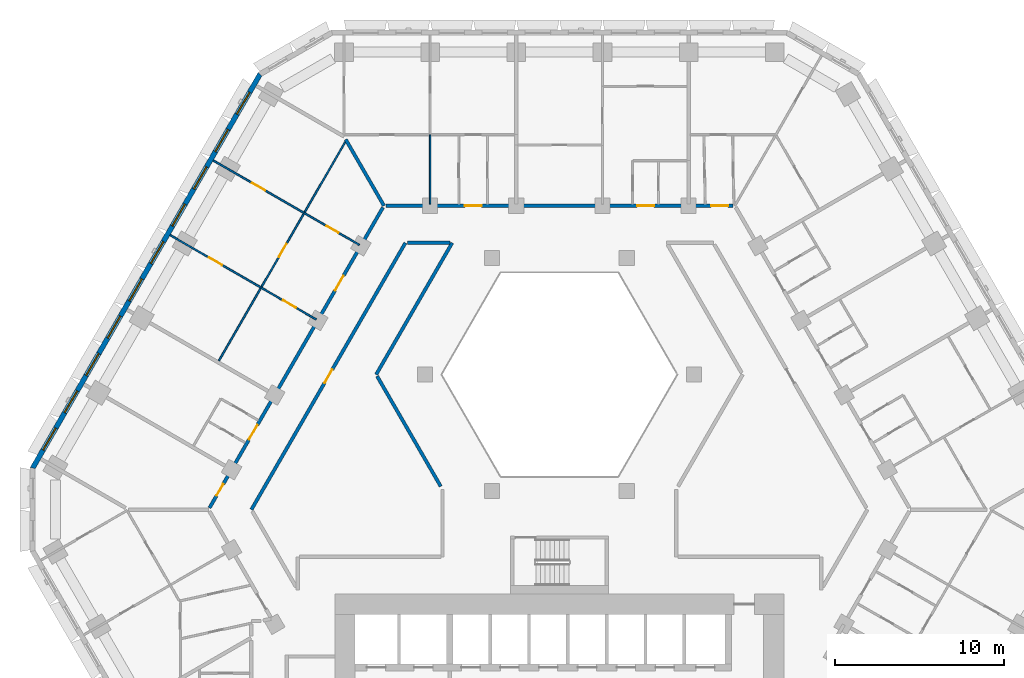
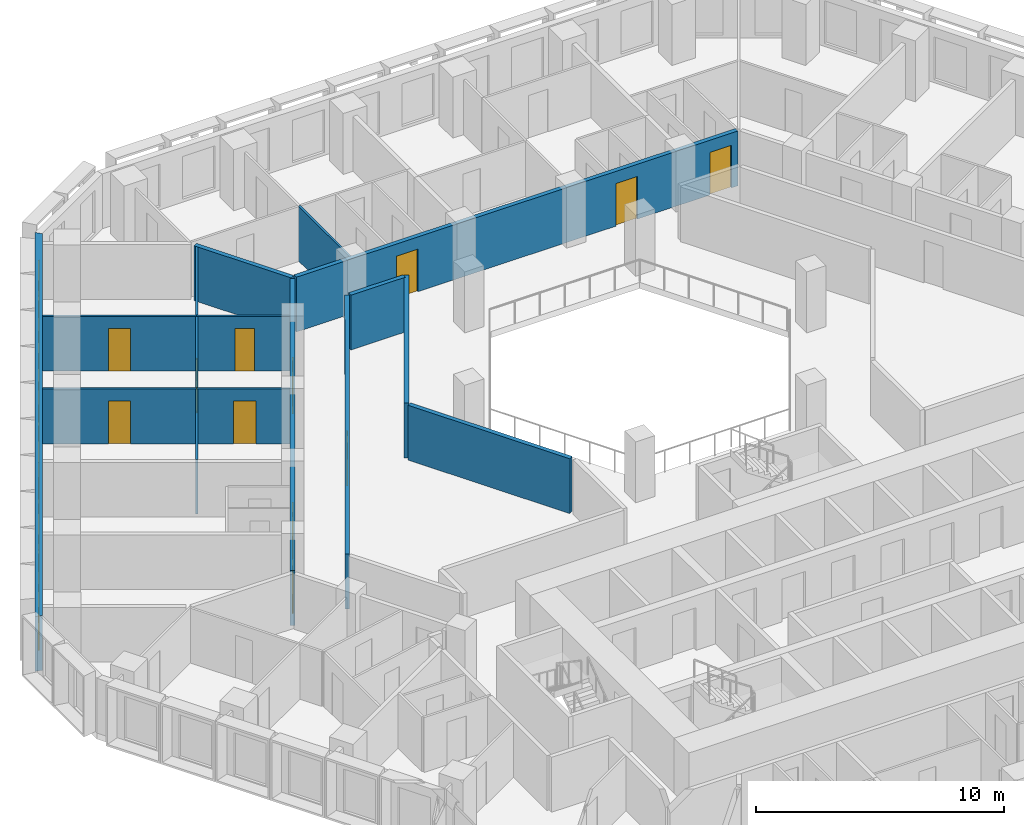
# One storey, part 9 of 21: 14 walls, 12 doors, 10 windows, 22 openings.
"""IFC4 building model written with IfcOpenShell, lengths in metres."""

from ifc_helpers import new_model, si_unit, direction, frame, frame_2d, origin, place, context, subcontext, project, spatial, polyline, rectangle, outline, extrude, material, layer, layer_set, type_object, element, fill, save


model = new_model("IFC4")

# Units and contexts
model_context = context("Model", 3, precision=1e-05, world=origin(), true_north=direction((0.0, 1.0)))
body_context = subcontext(model_context, "Body", "Model", "MODEL_VIEW")
ifc_project = project(units=[si_unit("LENGTHUNIT", "METRE"), si_unit("AREAUNIT", "SQUARE_METRE"), si_unit("VOLUMEUNIT", "CUBIC_METRE"), si_unit("PLANEANGLEUNIT", "RADIAN"), si_unit("MASSUNIT", "GRAM", prefix="KILO")], contexts=[model_context])

# Site, building, storey
site_placement = place(None, origin())
site = spatial("IfcSite", under=ifc_project, at=site_placement, CompositionType="ELEMENT")
building_placement = place(site_placement, origin())
building = spatial("IfcBuilding", under=site, at=building_placement, Name="Beryl Residences", CompositionType="ELEMENT")
storey_placement = place(building_placement, frame((0.0, 0.0, 53.39990234375)))
storey = spatial("IfcBuildingStorey", under=building, at=storey_placement, Name="L16", CompositionType="ELEMENT", Elevation=53.39990234375)

# Wall, openings, windows
ifc_material_1 = material(Name="Composite metal panel with mineral wool insulation")
ifc_layer_1 = layer(ifc_material_1, 0.300048828125)
ifc_layer_set_1 = layer_set([ifc_layer_1], Name="ES1 pale metal composite panel wall 300 mm")
wall_type_1 = type_object("IfcWallType", Name="ES1 pale metal composite panel wall 300 mm", PredefinedType="SOLIDWALL", material=ifc_layer_set_1)
wall_1_placement = place(storey_placement, frame((-17.7099609375, 25.824951171875, 0.0), z_axis=(0.0, 0.0, 1.0), x_axis=(-0.500001938803, -0.866024284413, 0.0)))
wall_1 = element("IfcWall", 1, at=wall_1_placement, inside=storey, type_object=wall_type_1, Name="ES1 external wall L16 NW", PredefinedType="SOLIDWALL", context=body_context, shape_type="SweptSolid", body=[
    extrude(outline(polyline([(0.0, -0.14990234375), (27.02001953125, -0.14990234375), (26.939697265625, 0.14990234375), (0.080322265625, 0.14990234375), (0.0, -0.14990234375)])), origin(), (0.0, 0.0, 1.0), 2.7001953125),
])
opening_1_placement = place(wall_1_placement, frame((1.277099609375, 0.0, 0.14990234375)))
opening_1 = element("IfcOpeningElement", 2, at=opening_1_placement, cuts=wall_1, Name="Opening W1", PredefinedType="OPENING", context=body_context, shape_type="SweptSolid", body=[
    extrude(rectangle(XDim=1.5, YDim=2.10009765625, at=frame_2d((0.75, 1.050048828125))), frame((0.0, 0.159912109375, 0.0), z_axis=(0.0, -1.0, 0.0), x_axis=(1.0, 0.0, 0.0)), (0.0, 0.0, 1.0), 0.320068359375),
])
opening_2_placement = place(wall_1_placement, frame((3.8291015625, 0.0, 0.14990234375)))
opening_2 = element("IfcOpeningElement", 3, at=opening_2_placement, cuts=wall_1, Name="Opening W1", PredefinedType="OPENING", context=body_context, shape_type="SweptSolid", body=[
    extrude(rectangle(XDim=1.5, YDim=2.10009765625, at=frame_2d((0.75, 1.050048828125))), frame((0.0, 0.159912109375, 0.0), z_axis=(0.0, -1.0, 0.0), x_axis=(1.0, 0.0, 0.0)), (0.0, 0.0, 1.0), 0.320068359375),
])
opening_3_placement = place(wall_1_placement, frame((6.382080078125, 0.0, 0.14990234375)))
opening_3 = element("IfcOpeningElement", 4, at=opening_3_placement, cuts=wall_1, Name="Opening W1", PredefinedType="OPENING", context=body_context, shape_type="SweptSolid", body=[
    extrude(rectangle(XDim=1.5, YDim=2.10009765625, at=frame_2d((0.75, 1.050048828125))), frame((0.0, 0.159912109375, 0.0), z_axis=(0.0, -1.0, 0.0), x_axis=(1.0, 0.0, 0.0)), (0.0, 0.0, 1.0), 0.320068359375),
])
opening_4_placement = place(wall_1_placement, frame((8.93310546875, 0.0, 0.14990234375)))
opening_4 = element("IfcOpeningElement", 5, at=opening_4_placement, cuts=wall_1, Name="Opening W1", PredefinedType="OPENING", context=body_context, shape_type="SweptSolid", body=[
    extrude(rectangle(XDim=1.5, YDim=2.10009765625, at=frame_2d((0.75, 1.050048828125))), frame((0.0, 0.159912109375, 0.0), z_axis=(0.0, -1.0, 0.0), x_axis=(1.0, 0.0, 0.0)), (0.0, 0.0, 1.0), 0.320068359375),
])
opening_5_placement = place(wall_1_placement, frame((11.485107421875, 0.0, 0.14990234375)))
opening_5 = element("IfcOpeningElement", 6, at=opening_5_placement, cuts=wall_1, Name="Opening W1", PredefinedType="OPENING", context=body_context, shape_type="SweptSolid", body=[
    extrude(rectangle(XDim=1.5, YDim=2.10009765625, at=frame_2d((0.75, 1.050048828125))), frame((0.0, 0.159912109375, 0.0), z_axis=(0.0, -1.0, 0.0), x_axis=(1.0, 0.0, 0.0)), (0.0, 0.0, 1.0), 0.320068359375),
])
opening_6_placement = place(wall_1_placement, frame((14.037109375, 0.0, 0.14990234375)))
opening_6 = element("IfcOpeningElement", 7, at=opening_6_placement, cuts=wall_1, Name="Opening W1", PredefinedType="OPENING", context=body_context, shape_type="SweptSolid", body=[
    extrude(rectangle(XDim=1.5, YDim=2.10009765625, at=frame_2d((0.75, 1.050048828125))), frame((0.0, 0.159912109375, 0.0), z_axis=(0.0, -1.0, 0.0), x_axis=(1.0, 0.0, 0.0)), (0.0, 0.0, 1.0), 0.320068359375),
])
opening_7_placement = place(wall_1_placement, frame((16.589111328125, 0.0, 0.14990234375)))
opening_7 = element("IfcOpeningElement", 8, at=opening_7_placement, cuts=wall_1, Name="Opening W1", PredefinedType="OPENING", context=body_context, shape_type="SweptSolid", body=[
    extrude(rectangle(XDim=1.5, YDim=2.10009765625, at=frame_2d((0.75, 1.050048828125))), frame((0.0, 0.159912109375, 0.0), z_axis=(0.0, -1.0, 0.0), x_axis=(1.0, 0.0, 0.0)), (0.0, 0.0, 1.0), 0.320068359375),
])
opening_8_placement = place(wall_1_placement, frame((19.14111328125, 0.0, 0.14990234375)))
opening_8 = element("IfcOpeningElement", 9, at=opening_8_placement, cuts=wall_1, Name="Opening W1", PredefinedType="OPENING", context=body_context, shape_type="SweptSolid", body=[
    extrude(rectangle(XDim=1.5, YDim=2.10009765625, at=frame_2d((0.75, 1.050048828125))), frame((0.0, 0.159912109375, 0.0), z_axis=(0.0, -1.0, 0.0), x_axis=(1.0, 0.0, 0.0)), (0.0, 0.0, 1.0), 0.320068359375),
])
opening_9_placement = place(wall_1_placement, frame((21.693115234375, 0.0, 0.14990234375)))
opening_9 = element("IfcOpeningElement", 10, at=opening_9_placement, cuts=wall_1, Name="Opening W1", PredefinedType="OPENING", context=body_context, shape_type="SweptSolid", body=[
    extrude(rectangle(XDim=1.5, YDim=2.10009765625, at=frame_2d((0.75, 1.050048828125))), frame((0.0, 0.159912109375, 0.0), z_axis=(0.0, -1.0, 0.0), x_axis=(1.0, 0.0, 0.0)), (0.0, 0.0, 1.0), 0.320068359375),
])
opening_10_placement = place(wall_1_placement, frame((24.243896484375, 0.0, 0.14990234375)))
opening_10 = element("IfcOpeningElement", 11, at=opening_10_placement, cuts=wall_1, Name="Opening W1", PredefinedType="OPENING", context=body_context, shape_type="SweptSolid", body=[
    extrude(rectangle(XDim=1.5, YDim=2.10009765625, at=frame_2d((0.75, 1.050048828125))), frame((0.0, 0.159912109375, 0.0), z_axis=(0.0, -1.0, 0.0), x_axis=(1.0, 0.0, 0.0)), (0.0, 0.0, 1.0), 0.320068359375),
])
ifc_material_2 = material(Name="Aluminium and clear glass", Category="aluminium")
window_type = type_object("IfcWindowType", Name="W1 cell window 1500 x 2100 mm", PartitioningType="SINGLE_PANEL", PredefinedType="WINDOW", material=ifc_material_2)
window_1_placement = place(opening_1_placement, origin())
window_1 = element("IfcWindow", 12, at=window_1_placement, inside=storey, type_object=window_type, Name="W1 window L16 NW 1", OverallHeight=2.10009765625, OverallWidth=1.5, PartitioningType="SINGLE_PANEL", PredefinedType="WINDOW", context=body_context, shape_type="SweptSolid", body=[
    extrude(rectangle(XDim=1.5, YDim=2.10009765625, at=frame_2d((0.75, 1.050048828125))), frame((0.0, 0.030029296875, 0.0), z_axis=(0.0, -1.0, 0.0), x_axis=(1.0, 0.0, 0.0)), (0.0, 0.0, 1.0), 0.06005859375),
])
fill(opening_1, window_1)
window_2_placement = place(opening_2_placement, origin())
window_2 = element("IfcWindow", 13, at=window_2_placement, inside=storey, type_object=window_type, Name="W1 window L16 NW 2", OverallHeight=2.10009765625, OverallWidth=1.5, PartitioningType="SINGLE_PANEL", PredefinedType="WINDOW", context=body_context, shape_type="SweptSolid", body=[
    extrude(rectangle(XDim=1.5, YDim=2.10009765625, at=frame_2d((0.75, 1.050048828125))), frame((0.0, 0.030029296875, 0.0), z_axis=(0.0, -1.0, 0.0), x_axis=(1.0, 0.0, 0.0)), (0.0, 0.0, 1.0), 0.06005859375),
])
fill(opening_2, window_2)
window_3_placement = place(opening_3_placement, origin())
window_3 = element("IfcWindow", 14, at=window_3_placement, inside=storey, type_object=window_type, Name="W1 window L16 NW 3", OverallHeight=2.10009765625, OverallWidth=1.5, PartitioningType="SINGLE_PANEL", PredefinedType="WINDOW", context=body_context, shape_type="SweptSolid", body=[
    extrude(rectangle(XDim=1.5, YDim=2.10009765625, at=frame_2d((0.75, 1.050048828125))), frame((0.0, 0.030029296875, 0.0), z_axis=(0.0, -1.0, 0.0), x_axis=(1.0, 0.0, 0.0)), (0.0, 0.0, 1.0), 0.06005859375),
])
fill(opening_3, window_3)
window_4_placement = place(opening_4_placement, origin())
window_4 = element("IfcWindow", 15, at=window_4_placement, inside=storey, type_object=window_type, Name="W1 window L16 NW 4", OverallHeight=2.10009765625, OverallWidth=1.5, PartitioningType="SINGLE_PANEL", PredefinedType="WINDOW", context=body_context, shape_type="SweptSolid", body=[
    extrude(rectangle(XDim=1.5, YDim=2.10009765625, at=frame_2d((0.75, 1.050048828125))), frame((0.0, 0.030029296875, 0.0), z_axis=(0.0, -1.0, 0.0), x_axis=(1.0, 0.0, 0.0)), (0.0, 0.0, 1.0), 0.06005859375),
])
fill(opening_4, window_4)
window_5_placement = place(opening_5_placement, origin())
window_5 = element("IfcWindow", 16, at=window_5_placement, inside=storey, type_object=window_type, Name="W1 window L16 NW 5", OverallHeight=2.10009765625, OverallWidth=1.5, PartitioningType="SINGLE_PANEL", PredefinedType="WINDOW", context=body_context, shape_type="SweptSolid", body=[
    extrude(rectangle(XDim=1.5, YDim=2.10009765625, at=frame_2d((0.75, 1.050048828125))), frame((0.0, 0.030029296875, 0.0), z_axis=(0.0, -1.0, 0.0), x_axis=(1.0, 0.0, 0.0)), (0.0, 0.0, 1.0), 0.06005859375),
])
fill(opening_5, window_5)
window_6_placement = place(opening_6_placement, origin())
window_6 = element("IfcWindow", 17, at=window_6_placement, inside=storey, type_object=window_type, Name="W1 window L16 NW 6", OverallHeight=2.10009765625, OverallWidth=1.5, PartitioningType="SINGLE_PANEL", PredefinedType="WINDOW", context=body_context, shape_type="SweptSolid", body=[
    extrude(rectangle(XDim=1.5, YDim=2.10009765625, at=frame_2d((0.75, 1.050048828125))), frame((0.0, 0.030029296875, 0.0), z_axis=(0.0, -1.0, 0.0), x_axis=(1.0, 0.0, 0.0)), (0.0, 0.0, 1.0), 0.06005859375),
])
fill(opening_6, window_6)
window_7_placement = place(opening_7_placement, origin())
window_7 = element("IfcWindow", 18, at=window_7_placement, inside=storey, type_object=window_type, Name="W1 window L16 NW 7", OverallHeight=2.10009765625, OverallWidth=1.5, PartitioningType="SINGLE_PANEL", PredefinedType="WINDOW", context=body_context, shape_type="SweptSolid", body=[
    extrude(rectangle(XDim=1.5, YDim=2.10009765625, at=frame_2d((0.75, 1.050048828125))), frame((0.0, 0.030029296875, 0.0), z_axis=(0.0, -1.0, 0.0), x_axis=(1.0, 0.0, 0.0)), (0.0, 0.0, 1.0), 0.06005859375),
])
fill(opening_7, window_7)
window_8_placement = place(opening_8_placement, origin())
window_8 = element("IfcWindow", 19, at=window_8_placement, inside=storey, type_object=window_type, Name="W1 window L16 NW 8", OverallHeight=2.10009765625, OverallWidth=1.5, PartitioningType="SINGLE_PANEL", PredefinedType="WINDOW", context=body_context, shape_type="SweptSolid", body=[
    extrude(rectangle(XDim=1.5, YDim=2.10009765625, at=frame_2d((0.75, 1.050048828125))), frame((0.0, 0.030029296875, 0.0), z_axis=(0.0, -1.0, 0.0), x_axis=(1.0, 0.0, 0.0)), (0.0, 0.0, 1.0), 0.06005859375),
])
fill(opening_8, window_8)
window_9_placement = place(opening_9_placement, origin())
window_9 = element("IfcWindow", 20, at=window_9_placement, inside=storey, type_object=window_type, Name="W1 window L16 NW 9", OverallHeight=2.10009765625, OverallWidth=1.5, PartitioningType="SINGLE_PANEL", PredefinedType="WINDOW", context=body_context, shape_type="SweptSolid", body=[
    extrude(rectangle(XDim=1.5, YDim=2.10009765625, at=frame_2d((0.75, 1.050048828125))), frame((0.0, 0.030029296875, 0.0), z_axis=(0.0, -1.0, 0.0), x_axis=(1.0, 0.0, 0.0)), (0.0, 0.0, 1.0), 0.06005859375),
])
fill(opening_9, window_9)
window_10_placement = place(opening_10_placement, origin())
window_10 = element("IfcWindow", 21, at=window_10_placement, inside=storey, type_object=window_type, Name="W1 window L16 NW 10", OverallHeight=2.10009765625, OverallWidth=1.5, PartitioningType="SINGLE_PANEL", PredefinedType="WINDOW", context=body_context, shape_type="SweptSolid", body=[
    extrude(rectangle(XDim=1.5, YDim=2.10009765625, at=frame_2d((0.75, 1.050048828125))), frame((0.0, 0.030029296875, 0.0), z_axis=(0.0, -1.0, 0.0), x_axis=(1.0, 0.0, 0.0)), (0.0, 0.0, 1.0), 0.06005859375),
])
fill(opening_10, window_10)

# Wall, opening, door
ifc_material_3 = material(Name="Gypsum board partition on steel studs", Category="steel")
ifc_layer_2 = layer(ifc_material_3, 0.10009765625)
ifc_layer_set_2 = layer_set([ifc_layer_2], Name="PT1 partition 100 mm gypsum board on steel studs")
wall_type_2 = type_object("IfcWallType", Name="PT1 partition 100 mm gypsum board on steel studs", PredefinedType="PARTITIONING", material=ifc_layer_set_2)
wall_2_placement = place(storey_placement, frame((-20.508056640625, 20.678955078125, 0.0), z_axis=(0.0, 0.0, 1.0), x_axis=(0.86607068519, -0.499921562103, 0.0)))
wall_2 = element("IfcWall", 22, at=wall_2_placement, inside=storey, type_object=wall_type_2, Name="Wall PT1 L16 024", PredefinedType="PARTITIONING", context=body_context, shape_type="SweptSolid", body=[
    extrude(rectangle(XDim=6.22705078125, YDim=0.10009765625, at=frame_2d((3.113525390625, 0.0))), origin(), (0.0, 0.0, 1.0), 2.7001953125),
])
opening_11_placement = place(wall_2_placement, frame((2.6630859375, 0.0, 0.0)))
opening_11 = element("IfcOpeningElement", 23, at=opening_11_placement, cuts=wall_2, Name="Opening D0206", PredefinedType="OPENING", context=body_context, shape_type="SweptSolid", body=[
    extrude(rectangle(XDim=0.89990234375, YDim=2.10009765625, at=frame_2d((0.449951171875, 1.050048828125))), frame((0.0, 0.06005859375, 0.0), z_axis=(0.0, -1.0, 0.0), x_axis=(1.0, 0.0, 0.0)), (0.0, 0.0, 1.0), 0.1201171875),
])
ifc_material_4 = material(Name="Timber door leaf", Category="wood")
door_type_1 = type_object("IfcDoorType", Name="D2 room door 900 x 2100 mm", OperationType="SINGLE_SWING_LEFT", PredefinedType="DOOR", material=ifc_material_4)
door_1_placement = place(opening_11_placement, origin())
door_1 = element("IfcDoor", 24, at=door_1_placement, inside=storey, type_object=door_type_1, Name="Door D0206 L16 001", OperationType="SINGLE_SWING_RIGHT", OverallHeight=2.10009765625, OverallWidth=0.89990234375, PredefinedType="DOOR", context=body_context, shape_type="SweptSolid", body=[
    extrude(rectangle(XDim=0.89990234375, YDim=2.10009765625, at=frame_2d((0.449951171875, 1.050048828125))), frame((0.0, 0.02490234375, 0.0), z_axis=(0.0, -1.0, 0.0), x_axis=(1.0, 0.0, 0.0)), (0.0, 0.0, 1.0), 0.050048828125),
])
fill(opening_11, door_1)

wall_3_placement = place(storey_placement, frame((-23.06005859375, 16.259033203125, 0.0), z_axis=(0.0, 0.0, 1.0), x_axis=(0.86607068519, -0.499921562103, 0.0)))
wall_3 = element("IfcWall", 25, at=wall_3_placement, inside=storey, type_object=wall_type_2, Name="Wall PT1 L16 027", PredefinedType="PARTITIONING", context=body_context, shape_type="SweptSolid", body=[
    extrude(rectangle(XDim=6.22705078125, YDim=0.10009765625, at=frame_2d((3.113525390625, 0.0))), origin(), (0.0, 0.0, 1.0), 2.7001953125),
])
opening_12_placement = place(wall_3_placement, frame((2.6630859375, 0.0, 0.0)))
opening_12 = element("IfcOpeningElement", 26, at=opening_12_placement, cuts=wall_3, Name="Opening D0205", PredefinedType="OPENING", context=body_context, shape_type="SweptSolid", body=[
    extrude(rectangle(XDim=0.89990234375, YDim=2.10009765625, at=frame_2d((0.449951171875, 1.050048828125))), frame((0.0, 0.06005859375, 0.0), z_axis=(0.0, -1.0, 0.0), x_axis=(1.0, 0.0, 0.0)), (0.0, 0.0, 1.0), 0.1201171875),
])
door_2_placement = place(opening_12_placement, origin())
door_2 = element("IfcDoor", 27, at=door_2_placement, inside=storey, type_object=door_type_1, Name="Door D0205 L16 001", OperationType="SINGLE_SWING_LEFT", OverallHeight=2.10009765625, OverallWidth=0.89990234375, PredefinedType="DOOR", context=body_context, shape_type="SweptSolid", body=[
    extrude(rectangle(XDim=0.89990234375, YDim=2.10009765625, at=frame_2d((0.449951171875, 1.050048828125))), frame((0.0, 0.02490234375, 0.0), z_axis=(0.0, -1.0, 0.0), x_axis=(1.0, 0.0, 0.0)), (0.0, 0.0, 1.0), 0.050048828125),
])
fill(opening_12, door_2)

wall_4_placement = place(storey_placement, frame((-20.1689453125, 8.81201171875, 0.0), z_axis=(0.0, 0.0, 1.0), x_axis=(0.499995459772, 0.86602802507, 0.0)))
wall_4 = element("IfcWall", 28, at=wall_4_placement, inside=storey, type_object=wall_type_2, Name="Wall PT1 L16 043", PredefinedType="PARTITIONING", context=body_context, shape_type="SweptSolid", body=[
    extrude(rectangle(XDim=14.966064453125, YDim=0.10009765625, at=frame_2d((7.48291015625, 0.0))), origin(), (0.0, 0.0, 1.0), 2.7001953125),
])
opening_13_placement = place(wall_4_placement, frame((7.10498046875, 0.0, 0.0)))
opening_13 = element("IfcOpeningElement", 29, at=opening_13_placement, cuts=wall_4, Name="Opening D0202", PredefinedType="OPENING", context=body_context, shape_type="SweptSolid", body=[
    extrude(rectangle(XDim=0.89990234375, YDim=2.10009765625, at=frame_2d((0.449951171875, 1.050048828125))), frame((0.0, 0.06005859375, 0.0), z_axis=(0.0, -1.0, 0.0), x_axis=(1.0, 0.0, 0.0)), (0.0, 0.0, 1.0), 0.1201171875),
])
door_3_placement = place(opening_13_placement, origin())
door_3 = element("IfcDoor", 30, at=door_3_placement, inside=storey, type_object=door_type_1, Name="Door D0202 L16 001", OperationType="SINGLE_SWING_RIGHT", OverallHeight=2.10009765625, OverallWidth=0.89990234375, PredefinedType="DOOR", context=body_context, shape_type="SweptSolid", body=[
    extrude(rectangle(XDim=0.89990234375, YDim=2.10009765625, at=frame_2d((0.449951171875, 1.050048828125))), frame((0.0, 0.02490234375, 0.0), z_axis=(0.0, -1.0, 0.0), x_axis=(1.0, 0.0, 0.0)), (0.0, 0.0, 1.0), 0.050048828125),
])
fill(opening_13, door_3)

# Wall
wall_5_placement = place(storey_placement, frame((-7.656982421875, 18.10009765625, 0.0), z_axis=(0.0, 0.0, 1.0), x_axis=(0.0, 1.0, 0.0)))
element("IfcWall", 31, at=wall_5_placement, inside=storey, type_object=wall_type_2, Name="Wall PT1 L16 057", PredefinedType="PARTITIONING", context=body_context, shape_type="SweptSolid", body=[
    extrude(rectangle(XDim=4.099853515625, YDim=0.10009765625, at=frame_2d((2.0498046875, 0.0))), origin(), (0.0, 0.0, 1.0), 2.7001953125),
])

# Wall, opening, door
wall_6_placement = place(storey_placement, frame((-15.114990234375, 17.56591796875, 0.0), z_axis=(0.0, 0.0, 1.0), x_axis=(0.866008894869, -0.50002859319, 0.0)))
wall_6 = element("IfcWall", 32, at=wall_6_placement, inside=storey, type_object=wall_type_2, Name="Wall PT1 L16 076", PredefinedType="PARTITIONING", context=body_context, shape_type="SweptSolid", body=[
    extrude(rectangle(XDim=3.773681640625, YDim=0.10009765625, at=frame_2d((1.88671875, 0.0))), origin(), (0.0, 0.0, 1.0), 2.7001953125),
])
opening_14_placement = place(wall_6_placement, frame((1.535888671875, 0.0, 0.0)))
opening_14 = element("IfcOpeningElement", 33, at=opening_14_placement, cuts=wall_6, Name="Opening D0203", PredefinedType="OPENING", context=body_context, shape_type="SweptSolid", body=[
    extrude(rectangle(XDim=0.800048828125, YDim=2.10009765625, at=frame_2d((0.39990234375, 1.050048828125))), frame((0.0, 0.06005859375, 0.0), z_axis=(0.0, -1.0, 0.0), x_axis=(1.0, 0.0, 0.0)), (0.0, 0.0, 1.0), 0.1201171875),
])
ifc_material_5 = material(Name="Timber door leaf", Category="wood")
door_type_2 = type_object("IfcDoorType", Name="D3 bathroom door 800 x 2100 mm", OperationType="SINGLE_SWING_LEFT", PredefinedType="DOOR", material=ifc_material_5)
door_4_placement = place(opening_14_placement, origin())
door_4 = element("IfcDoor", 34, at=door_4_placement, inside=storey, type_object=door_type_2, Name="Door D0203 L16 001", OperationType="SINGLE_SWING_LEFT", OverallHeight=2.10009765625, OverallWidth=0.800048828125, PredefinedType="DOOR", context=body_context, shape_type="SweptSolid", body=[
    extrude(rectangle(XDim=0.800048828125, YDim=2.10009765625, at=frame_2d((0.39990234375, 1.050048828125))), frame((0.0, 0.02490234375, 0.0), z_axis=(0.0, -1.0, 0.0), x_axis=(1.0, 0.0, 0.0)), (0.0, 0.0, 1.0), 0.050048828125),
])
fill(opening_14, door_4)

wall_7_placement = place(storey_placement, frame((-17.6669921875, 13.14599609375, 0.0), z_axis=(0.0, 0.0, 1.0), x_axis=(0.866008894869, -0.50002859319, 0.0)))
wall_7 = element("IfcWall", 35, at=wall_7_placement, inside=storey, type_object=wall_type_2, Name="Wall PT1 L16 078", PredefinedType="PARTITIONING", context=body_context, shape_type="SweptSolid", body=[
    extrude(rectangle(XDim=3.773681640625, YDim=0.10009765625, at=frame_2d((1.88671875, 0.0))), origin(), (0.0, 0.0, 1.0), 2.7001953125),
])
opening_15_placement = place(wall_7_placement, frame((1.486083984375, 0.0, 0.0)))
opening_15 = element("IfcOpeningElement", 36, at=opening_15_placement, cuts=wall_7, Name="Opening D0204", PredefinedType="OPENING", context=body_context, shape_type="SweptSolid", body=[
    extrude(rectangle(XDim=0.89990234375, YDim=2.10009765625, at=frame_2d((0.449951171875, 1.050048828125))), frame((0.0, 0.06005859375, 0.0), z_axis=(0.0, -1.0, 0.0), x_axis=(1.0, 0.0, 0.0)), (0.0, 0.0, 1.0), 0.1201171875),
])
door_5_placement = place(opening_15_placement, origin())
door_5 = element("IfcDoor", 37, at=door_5_placement, inside=storey, type_object=door_type_1, Name="Door D0204 L16 001", OperationType="SINGLE_SWING_RIGHT", OverallHeight=2.10009765625, OverallWidth=0.89990234375, PredefinedType="DOOR", context=body_context, shape_type="SweptSolid", body=[
    extrude(rectangle(XDim=0.89990234375, YDim=2.10009765625, at=frame_2d((0.449951171875, 1.050048828125))), frame((0.0, 0.02490234375, 0.0), z_axis=(0.0, -1.0, 0.0), x_axis=(1.0, 0.0, 0.0)), (0.0, 0.0, 1.0), 0.050048828125),
])
fill(opening_15, door_5)

# Walls
ifc_material_6 = material(Name="Acoustic double stud gypsum board wall")
ifc_layer_3 = layer(ifc_material_6, 0.199951171875)
ifc_layer_set_3 = layer_set([ifc_layer_3], Name="PT3 party wall 200 mm acoustic double stud")
wall_type_3 = type_object("IfcWallType", Name="PT3 party wall 200 mm acoustic double stud", PredefinedType="PARTITIONING", material=ifc_layer_set_3)
wall_8_placement = place(storey_placement, frame((-12.658935546875, 21.926025390625, 0.0), z_axis=(0.0, 0.0, 1.0), x_axis=(0.500025458316, -0.86601070492, 0.0)))
element("IfcWall", 38, at=wall_8_placement, inside=storey, type_object=wall_type_3, Name="Wall PT3 L16 001", PredefinedType="PARTITIONING", context=body_context, shape_type="SweptSolid", body=[
    extrude(rectangle(XDim=4.533447265625, YDim=0.199951171875, at=frame_2d((2.2666015625, 0.0))), origin(), (0.0, 0.0, 1.0), 2.7001953125),
])
ifc_material_7 = material(Name="Double stud gypsum board wall")
ifc_layer_4 = layer(ifc_material_7, 0.199951171875)
ifc_layer_set_4 = layer_set([ifc_layer_4], Name="PT4 corridor wall 200 mm double stud")
wall_type_4 = type_object("IfcWallType", Name="PT4 corridor wall 200 mm double stud", PredefinedType="PARTITIONING", material=ifc_layer_set_4)
wall_9_placement = place(storey_placement, frame((-10.7958984375, 7.89990234375, 0.0), z_axis=(0.0, 0.0, 1.0), x_axis=(0.499954271211, -0.866051803703, 0.0)))
element("IfcWall", 39, at=wall_9_placement, inside=storey, type_object=wall_type_4, Name="Wall PT4 L16 001", PredefinedType="PARTITIONING", context=body_context, shape_type="SweptSolid", body=[
    extrude(rectangle(XDim=7.536376953125, YDim=0.199951171875, at=frame_2d((3.76806640625, 0.0))), origin(), (0.0, 0.0, 1.0), 2.7001953125),
])
wall_10_placement = place(storey_placement, frame((-9.006103515625, 15.800048828125, 0.0), z_axis=(0.0, 0.0, 1.0), x_axis=(1.0, 0.0, 0.0)))
element("IfcWall", 40, at=wall_10_placement, inside=storey, type_object=wall_type_4, Name="Wall PT4 L16 017", PredefinedType="PARTITIONING", context=body_context, shape_type="SweptSolid", body=[
    extrude(rectangle(XDim=2.5400390625, YDim=0.199951171875, at=frame_2d((1.27001953125, 0.0))), origin(), (0.0, 0.0, 1.0), 2.7001953125),
])

# Wall, openings, doors
wall_11_placement = place(storey_placement, frame((-10.27587890625, 18.0, 0.0), z_axis=(0.0, 0.0, 1.0), x_axis=(1.0, 0.0, 0.0)))
wall_11 = element("IfcWall", 41, at=wall_11_placement, inside=storey, type_object=wall_type_4, Name="Wall PT4 L16 019", PredefinedType="PARTITIONING", context=body_context, shape_type="SweptSolid", body=[
    extrude(rectangle(XDim=20.557861328125, YDim=0.199951171875, at=frame_2d((10.27880859375, 0.0))), origin(), (0.0, 0.0, 1.0), 2.7001953125),
])
opening_16_placement = place(wall_11_placement, frame((19.264892578125, 0.0, 0.0)))
opening_16 = element("IfcOpeningElement", 42, at=opening_16_placement, cuts=wall_11, Name="Opening D0263", PredefinedType="OPENING", context=body_context, shape_type="SweptSolid", body=[
    extrude(rectangle(XDim=1.0, YDim=2.10009765625, at=frame_2d((0.5, 1.050048828125))), frame((0.0, 0.10986328125, 0.0), z_axis=(0.0, -1.0, 0.0), x_axis=(1.0, 0.0, 0.0)), (0.0, 0.0, 1.0), 0.219970703125),
])
opening_17_placement = place(wall_11_placement, frame((14.87890625, 0.0, 0.0)))
opening_17 = element("IfcOpeningElement", 43, at=opening_17_placement, cuts=wall_11, Name="Opening D0269", PredefinedType="OPENING", context=body_context, shape_type="SweptSolid", body=[
    extrude(rectangle(XDim=1.0, YDim=2.10009765625, at=frame_2d((0.5, 1.050048828125))), frame((0.0, 0.10986328125, 0.0), z_axis=(0.0, -1.0, 0.0), x_axis=(1.0, 0.0, 0.0)), (0.0, 0.0, 1.0), 0.219970703125),
])
opening_18_placement = place(wall_11_placement, frame((4.6708984375, 0.0, 0.0)))
opening_18 = element("IfcOpeningElement", 44, at=opening_18_placement, cuts=wall_11, Name="Opening D0275", PredefinedType="OPENING", context=body_context, shape_type="SweptSolid", body=[
    extrude(rectangle(XDim=1.0, YDim=2.10009765625, at=frame_2d((0.5, 1.050048828125))), frame((0.0, 0.10986328125, 0.0), z_axis=(0.0, -1.0, 0.0), x_axis=(1.0, 0.0, 0.0)), (0.0, 0.0, 1.0), 0.219970703125),
])
ifc_material_8 = material(Name="Timber door leaf", Category="wood")
door_type_3 = type_object("IfcDoorType", Name="D1 flat entrance door 1000 x 2100 mm", OperationType="SINGLE_SWING_LEFT", PredefinedType="DOOR", material=ifc_material_8)
door_6_placement = place(opening_16_placement, origin())
door_6 = element("IfcDoor", 45, at=door_6_placement, inside=storey, type_object=door_type_3, Name="Door D0263 L16 001", OperationType="SINGLE_SWING_LEFT", OverallHeight=2.10009765625, OverallWidth=1.0, PredefinedType="DOOR", context=body_context, shape_type="SweptSolid", body=[
    extrude(rectangle(XDim=1.0, YDim=2.10009765625, at=frame_2d((0.5, 1.050048828125))), frame((0.0, 0.02490234375, 0.0), z_axis=(0.0, -1.0, 0.0), x_axis=(1.0, 0.0, 0.0)), (0.0, 0.0, 1.0), 0.050048828125),
])
fill(opening_16, door_6)
door_7_placement = place(opening_17_placement, origin())
door_7 = element("IfcDoor", 46, at=door_7_placement, inside=storey, type_object=door_type_3, Name="Door D0269 L16 001", OperationType="SINGLE_SWING_LEFT", OverallHeight=2.10009765625, OverallWidth=1.0, PredefinedType="DOOR", context=body_context, shape_type="SweptSolid", body=[
    extrude(rectangle(XDim=1.0, YDim=2.10009765625, at=frame_2d((0.5, 1.050048828125))), frame((0.0, 0.02490234375, 0.0), z_axis=(0.0, -1.0, 0.0), x_axis=(1.0, 0.0, 0.0)), (0.0, 0.0, 1.0), 0.050048828125),
])
fill(opening_17, door_7)
door_8_placement = place(opening_18_placement, origin())
door_8 = element("IfcDoor", 47, at=door_8_placement, inside=storey, type_object=door_type_3, Name="Door D0275 L16 001", OperationType="SINGLE_SWING_LEFT", OverallHeight=2.10009765625, OverallWidth=1.0, PredefinedType="DOOR", context=body_context, shape_type="SweptSolid", body=[
    extrude(rectangle(XDim=1.0, YDim=2.10009765625, at=frame_2d((0.5, 1.050048828125))), frame((0.0, 0.02490234375, 0.0), z_axis=(0.0, -1.0, 0.0), x_axis=(1.0, 0.0, 0.0)), (0.0, 0.0, 1.0), 0.050048828125),
])
fill(opening_18, door_8)

# Wall
wall_12_placement = place(storey_placement, frame((-10.85400390625, 8.0, 0.0), z_axis=(0.0, 0.0, 1.0), x_axis=(0.499964141897, 0.86604610548, 0.0)))
element("IfcWall", 48, at=wall_12_placement, inside=storey, type_object=wall_type_4, Name="Wall PT4 L16 024", PredefinedType="PARTITIONING", context=body_context, shape_type="SweptSolid", body=[
    extrude(rectangle(XDim=9.006591796875, YDim=0.199951171875, at=frame_2d((4.50341796875, 0.0))), origin(), (0.0, 0.0, 1.0), 2.7001953125),
])

# Wall, opening, door
wall_13_placement = place(storey_placement, frame((-18.243896484375, -0.0009765625, 0.0), z_axis=(0.0, 0.0, 1.0), x_axis=(0.499962999376, 0.866046765051, 0.0)))
wall_13 = element("IfcWall", 49, at=wall_13_placement, inside=storey, type_object=wall_type_4, Name="Wall PT4 L16 025", PredefinedType="PARTITIONING", context=body_context, shape_type="SweptSolid", body=[
    extrude(rectangle(XDim=18.2451171875, YDim=0.199951171875, at=frame_2d((9.12255859375, 0.0))), origin(), (0.0, 0.0, 1.0), 2.7001953125),
])
opening_19_placement = place(wall_13_placement, frame((8.672119140625, 0.0, 0.0)))
opening_19 = element("IfcOpeningElement", 50, at=opening_19_placement, cuts=wall_13, Name="Opening D0282", PredefinedType="OPENING", context=body_context, shape_type="SweptSolid", body=[
    extrude(rectangle(XDim=0.89990234375, YDim=2.10009765625, at=frame_2d((0.449951171875, 1.050048828125))), frame((0.0, 0.10986328125, 0.0), z_axis=(0.0, -1.0, 0.0), x_axis=(1.0, 0.0, 0.0)), (0.0, 0.0, 1.0), 0.219970703125),
])
door_9_placement = place(opening_19_placement, origin())
door_9 = element("IfcDoor", 51, at=door_9_placement, inside=storey, type_object=door_type_1, Name="Door D0282 L16 001", OperationType="SINGLE_SWING_RIGHT", OverallHeight=2.10009765625, OverallWidth=0.89990234375, PredefinedType="DOOR", context=body_context, shape_type="SweptSolid", body=[
    extrude(rectangle(XDim=0.89990234375, YDim=2.10009765625, at=frame_2d((0.449951171875, 1.050048828125))), frame((0.0, 0.02490234375, 0.0), z_axis=(0.0, -1.0, 0.0), x_axis=(1.0, 0.0, 0.0)), (0.0, 0.0, 1.0), 0.050048828125),
])
fill(opening_19, door_9)

# Wall, openings, doors
wall_14_placement = place(storey_placement, frame((-20.72705078125, 0.09912109375, 0.0), z_axis=(0.0, 0.0, 1.0), x_axis=(0.499993204491, 0.866029327138, 0.0)))
wall_14 = element("IfcWall", 52, at=wall_14_placement, inside=storey, type_object=wall_type_4, Name="Wall PT4 L16 026", PredefinedType="PARTITIONING", context=body_context, shape_type="SweptSolid", body=[
    extrude(rectangle(XDim=20.554443359375, YDim=0.199951171875, at=frame_2d((10.27734375, 0.0))), origin(), (0.0, 0.0, 1.0), 2.7001953125),
])
opening_20_placement = place(wall_14_placement, frame((14.8798828125, 0.0, 0.0)))
opening_20 = element("IfcOpeningElement", 53, at=opening_20_placement, cuts=wall_14, Name="Opening D0201", PredefinedType="OPENING", context=body_context, shape_type="SweptSolid", body=[
    extrude(rectangle(XDim=1.0, YDim=2.10009765625, at=frame_2d((0.5, 1.050048828125))), frame((0.0, 0.10986328125, 0.0), z_axis=(0.0, -1.0, 0.0), x_axis=(1.0, 0.0, 0.0)), (0.0, 0.0, 1.0), 0.219970703125),
])
opening_21_placement = place(wall_14_placement, frame((4.673095703125, 0.0, 0.0)))
opening_21 = element("IfcOpeningElement", 54, at=opening_21_placement, cuts=wall_14, Name="Opening D0207", PredefinedType="OPENING", context=body_context, shape_type="SweptSolid", body=[
    extrude(rectangle(XDim=1.0, YDim=2.10009765625, at=frame_2d((0.5, 1.050048828125))), frame((0.0, 0.10986328125, 0.0), z_axis=(0.0, -1.0, 0.0), x_axis=(1.0, 0.0, 0.0)), (0.0, 0.0, 1.0), 0.219970703125),
])
opening_22_placement = place(wall_14_placement, frame((0.837890625, 0.0, 0.0)))
opening_22 = element("IfcOpeningElement", 55, at=opening_22_placement, cuts=wall_14, Name="Opening D0210", PredefinedType="OPENING", context=body_context, shape_type="SweptSolid", body=[
    extrude(rectangle(XDim=0.800048828125, YDim=2.10009765625, at=frame_2d((0.39990234375, 1.050048828125))), frame((0.0, 0.10986328125, 0.0), z_axis=(0.0, -1.0, 0.0), x_axis=(1.0, 0.0, 0.0)), (0.0, 0.0, 1.0), 0.219970703125),
])
door_10_placement = place(opening_20_placement, origin())
door_10 = element("IfcDoor", 56, at=door_10_placement, inside=storey, type_object=door_type_3, Name="Door D0201 L16 001", OperationType="SINGLE_SWING_LEFT", OverallHeight=2.10009765625, OverallWidth=1.0, PredefinedType="DOOR", context=body_context, shape_type="SweptSolid", body=[
    extrude(rectangle(XDim=1.0, YDim=2.10009765625, at=frame_2d((0.5, 1.050048828125))), frame((0.0, 0.02490234375, 0.0), z_axis=(0.0, -1.0, 0.0), x_axis=(1.0, 0.0, 0.0)), (0.0, 0.0, 1.0), 0.050048828125),
])
fill(opening_20, door_10)
door_11_placement = place(opening_21_placement, origin())
door_11 = element("IfcDoor", 57, at=door_11_placement, inside=storey, type_object=door_type_3, Name="Door D0207 L16 001", OperationType="SINGLE_SWING_LEFT", OverallHeight=2.10009765625, OverallWidth=1.0, PredefinedType="DOOR", context=body_context, shape_type="SweptSolid", body=[
    extrude(rectangle(XDim=1.0, YDim=2.10009765625, at=frame_2d((0.5, 1.050048828125))), frame((0.0, 0.02490234375, 0.0), z_axis=(0.0, -1.0, 0.0), x_axis=(1.0, 0.0, 0.0)), (0.0, 0.0, 1.0), 0.050048828125),
])
fill(opening_21, door_11)
door_12_placement = place(opening_22_placement, origin())
door_12 = element("IfcDoor", 58, at=door_12_placement, inside=storey, type_object=door_type_2, Name="Door D0210 L16 001", OperationType="SINGLE_SWING_RIGHT", OverallHeight=2.10009765625, OverallWidth=0.800048828125, PredefinedType="DOOR", context=body_context, shape_type="SweptSolid", body=[
    extrude(rectangle(XDim=0.800048828125, YDim=2.10009765625, at=frame_2d((0.39990234375, 1.050048828125))), frame((0.0, 0.02490234375, 0.0), z_axis=(0.0, -1.0, 0.0), x_axis=(1.0, 0.0, 0.0)), (0.0, 0.0, 1.0), 0.050048828125),
])
fill(opening_22, door_12)

save(model, "model.ifc")
